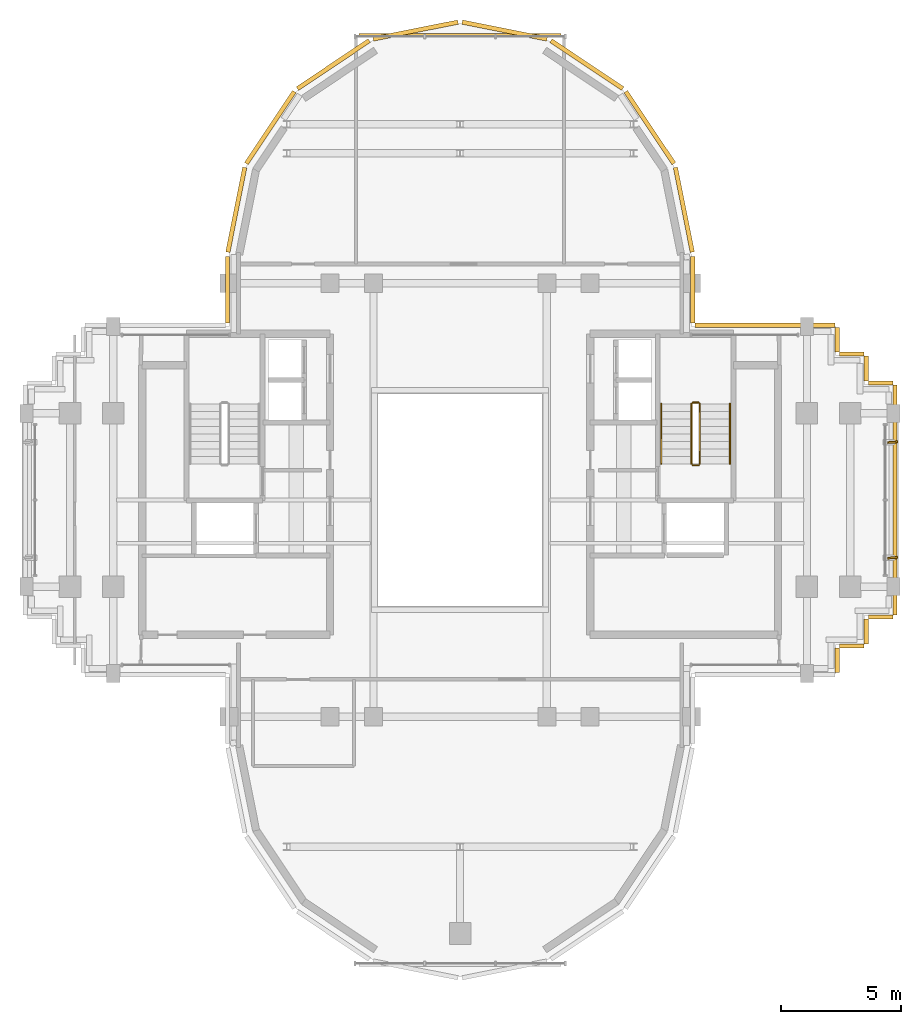
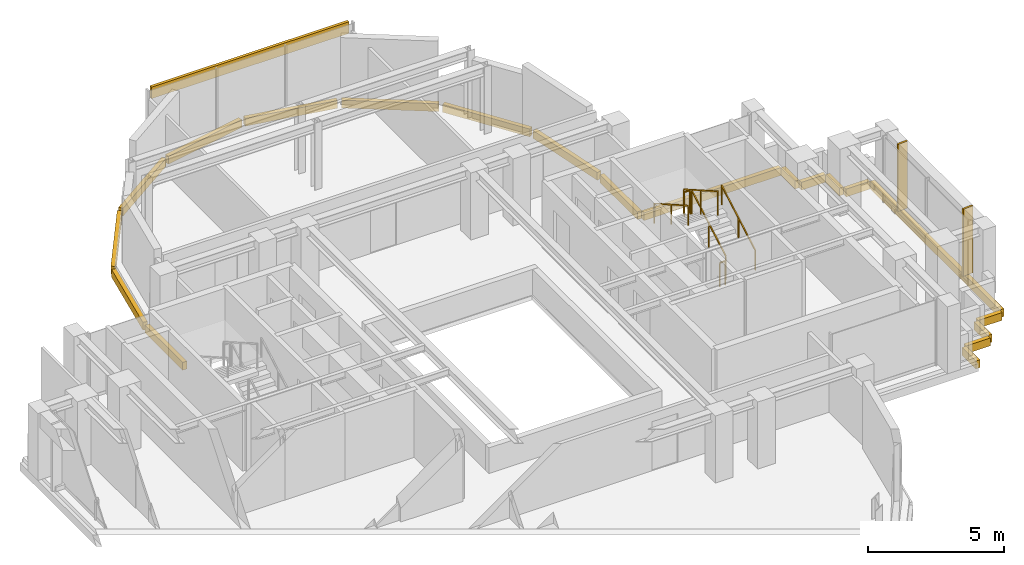
# One storey, part 12 of 12: 21 coverings, 6 railings, 2 shading devices.
"""IFC4 building model written with IfcOpenShell, lengths in metres."""

from ifc_helpers import new_model, si_unit, direction, frame, origin, origin_2d, place, context, subcontext, project, spatial, rectangle, extrude, source, transform, mapped, material, layer, layer_set, type_object, element, save


model = new_model("IFC4")

# Units and contexts
model_context = context("Model", 3, precision=1e-05, world=origin(), true_north=direction((0.0, 1.0)))
body_context = subcontext(model_context, "Body", "Model", "MODEL_VIEW")
ifc_project = project(units=[si_unit("LENGTHUNIT", "METRE"), si_unit("AREAUNIT", "SQUARE_METRE"), si_unit("VOLUMEUNIT", "CUBIC_METRE"), si_unit("PLANEANGLEUNIT", "RADIAN"), si_unit("MASSUNIT", "GRAM", prefix="KILO")], contexts=[model_context])

# Site, building, storey
site_placement = place(None, origin())
site = spatial("IfcSite", under=ifc_project, at=site_placement, CompositionType="ELEMENT")
building_placement = place(site_placement, origin())
building = spatial("IfcBuilding", under=site, at=building_placement, Name="Keilestroom Media Tower", CompositionType="ELEMENT")
storey_placement = place(building_placement, frame((0.0, 0.0, 246.0)))
storey = spatial("IfcBuildingStorey", under=building, at=storey_placement, Name="L68", CompositionType="ELEMENT", Elevation=246.0)

# Railings
ifc_material_1 = material(Name="Brushed Stainless Steel 1.4301", Category="steel")
railing_type_1 = type_object("IfcRailingType", Name="Stair-Pitch-Handrail-920", PredefinedType="HANDRAIL", material=ifc_material_1)
railing_1_placement = place(storey_placement, frame((11.2099609375, 1.5, 0.177734375)))
element("IfcRailing", 1, at=railing_1_placement, inside=storey, type_object=railing_type_1, Name="L68 ST-2 stair handrail 1", PredefinedType="HANDRAIL", context=body_context, shape_type="SweptSolid", body=[
    extrude(rectangle(XDim=0.048095703125, YDim=0.048095703125, at=origin_2d()), frame((0.0, 0.0, 0.8759765625), z_axis=(0.0, 0.868838684858, 0.495095283449), x_axis=(-1.0, 0.0, 0.0)), (0.0, 0.0, 1.0), 2.872802734375),
    extrude(rectangle(XDim=0.0419921875, YDim=0.0419921875, at=origin_2d()), origin(), (0.0, 0.0, 1.0), 0.84375),
    extrude(rectangle(XDim=0.0419921875, YDim=0.0419921875, at=origin_2d()), frame((0.0, 1.248046875, 0.711181640625)), (0.0, 0.0, 1.0), 0.84375),
    extrude(rectangle(XDim=0.0419921875, YDim=0.0419921875, at=origin_2d()), frame((0.0, 2.49609375, 1.42236328125)), (0.0, 0.0, 1.0), 0.84375),
])
railing_2_placement = place(storey_placement, frame((8.35009765625, 3.99609375, 1.77783203125)))
element("IfcRailing", 2, at=railing_2_placement, inside=storey, type_object=railing_type_1, Name="L68 ST-2 stair handrail 2", PredefinedType="HANDRAIL", context=body_context, shape_type="SweptSolid", body=[
    extrude(rectangle(XDim=0.048095703125, YDim=0.048095703125, at=origin_2d()), frame((0.0, 0.0, 0.8759765625), z_axis=(0.0, -0.868875238982, 0.495031129408), x_axis=(1.0, 0.0, 0.0)), (0.0, 0.0, 1.0), 2.872802734375),
    extrude(rectangle(XDim=0.0419921875, YDim=0.0419921875, at=origin_2d()), origin(), (0.0, 0.0, 1.0), 0.84375),
    extrude(rectangle(XDim=0.0419921875, YDim=0.0419921875, at=origin_2d()), frame((0.0, -1.248046875, 0.7109375)), (0.0, 0.0, 1.0), 0.84375),
    extrude(rectangle(XDim=0.0419921875, YDim=0.0419921875, at=origin_2d()), frame((0.0, -2.49609375, 1.422119140625)), (0.0, 0.0, 1.0), 0.84375),
])
ifc_material_2 = material(Name="Painted Steel Balustrade", Category="steel")
railing_type_2 = type_object("IfcRailingType", Name="Stair-Well-And-Landing-Guard-1100", PredefinedType="GUARDRAIL", material=ifc_material_2)
railing_3_placement = place(storey_placement, frame((9.949951171875, 1.5, 0.177734375)))
element("IfcRailing", 3, at=railing_3_placement, inside=storey, type_object=railing_type_2, Name="L68 ST-2 stair guard 1", PredefinedType="GUARDRAIL", context=body_context, shape_type="SweptSolid", body=[
    extrude(rectangle(XDim=0.048095703125, YDim=0.048095703125, at=origin_2d()), frame((0.0, 0.0, 1.076171875), z_axis=(0.0, 0.868838684858, 0.495095283449), x_axis=(-1.0, 0.0, 0.0)), (0.0, 0.0, 1.0), 2.872802734375),
    extrude(rectangle(XDim=0.0419921875, YDim=0.0419921875, at=origin_2d()), origin(), (0.0, 0.0, 1.0), 1.0439453125),
    extrude(rectangle(XDim=0.0419921875, YDim=0.0419921875, at=origin_2d()), frame((0.0, 1.248046875, 0.711181640625)), (0.0, 0.0, 1.0), 1.0439453125),
    extrude(rectangle(XDim=0.0419921875, YDim=0.0419921875, at=origin_2d()), frame((0.0, 2.49609375, 1.42236328125)), (0.0, 0.0, 1.0), 1.0439453125),
])
railing_4_placement = place(storey_placement, frame((9.89990234375, 4.0458984375, 1.60009765625)))
element("IfcRailing", 4, at=railing_4_placement, inside=storey, type_object=railing_type_2, Name="L68 ST-2 stair guard 2", PredefinedType="GUARDRAIL", context=body_context, shape_type="SweptSolid", body=[
    extrude(rectangle(XDim=0.048095703125, YDim=0.048095703125, at=origin_2d()), frame((0.0, 0.0, 1.076171875), z_axis=(-1.0, 0.0, 0.0), x_axis=(0.0, -1.0, 0.0)), (0.0, 0.0, 1.0), 0.239990234375),
    extrude(rectangle(XDim=0.0419921875, YDim=0.0419921875, at=origin_2d()), origin(), (0.0, 0.0, 1.0), 1.0439453125),
    extrude(rectangle(XDim=0.0419921875, YDim=0.0419921875, at=origin_2d()), frame((-0.239990234375, 0.0, 0.0)), (0.0, 0.0, 1.0), 1.0439453125),
])
railing_5_placement = place(storey_placement, frame((9.610107421875, 3.99609375, 1.77783203125)))
element("IfcRailing", 5, at=railing_5_placement, inside=storey, type_object=railing_type_2, Name="L68 ST-2 stair guard 3", PredefinedType="GUARDRAIL", context=body_context, shape_type="SweptSolid", body=[
    extrude(rectangle(XDim=0.048095703125, YDim=0.048095703125, at=origin_2d()), frame((0.0, 0.0, 1.076171875), z_axis=(0.0, -0.868875238982, 0.495031129408), x_axis=(1.0, 0.0, 0.0)), (0.0, 0.0, 1.0), 2.872802734375),
    extrude(rectangle(XDim=0.0419921875, YDim=0.0419921875, at=origin_2d()), origin(), (0.0, 0.0, 1.0), 1.0439453125),
    extrude(rectangle(XDim=0.0419921875, YDim=0.0419921875, at=origin_2d()), frame((0.0, -1.248046875, 0.7109375)), (0.0, 0.0, 1.0), 1.0439453125),
    extrude(rectangle(XDim=0.0419921875, YDim=0.0419921875, at=origin_2d()), frame((0.0, -2.49609375, 1.422119140625)), (0.0, 0.0, 1.0), 1.0439453125),
])
railing_6_placement = place(storey_placement, frame((9.89990234375, 1.449951171875, 0.0)))
element("IfcRailing", 6, at=railing_6_placement, inside=storey, type_object=railing_type_2, Name="L68 ST-2 stair guard 4", PredefinedType="GUARDRAIL", context=body_context, shape_type="SweptSolid", body=[
    extrude(rectangle(XDim=0.048095703125, YDim=0.048095703125, at=origin_2d()), frame((0.0, 0.0, 1.076171875), z_axis=(-1.0, 0.0, 0.0), x_axis=(0.0, -1.0, 0.0)), (0.0, 0.0, 1.0), 0.239990234375),
    extrude(rectangle(XDim=0.0419921875, YDim=0.0419921875, at=origin_2d()), origin(), (0.0, 0.0, 1.0), 1.0439453125),
    extrude(rectangle(XDim=0.0419921875, YDim=0.0419921875, at=origin_2d()), frame((-0.239990234375, 0.0, 0.0)), (0.0, 0.0, 1.0), 1.0439453125),
])

# Covering
ifc_material_3 = material(Name="Precast concrete C40/50", Category="concrete")
ifc_layer = layer(ifc_material_3, 0.1201171875)
ifc_layer_set = layer_set([ifc_layer], Name="Precast concrete C40/50")
covering_type = type_object("IfcCoveringType", Name="Exterior-Precast-Spandrel-Cladding-Panel-120", PredefinedType="CLADDING", material=ifc_layer_set)
shared_shape_1 = source(origin(), body_context, "Body", "SweptSolid", [
    extrude(rectangle(XDim=8.39990234375, YDim=0.1201171875, at=origin_2d()), origin(), (0.0, 0.0, 1.0), 0.52001953125),
])
covering_1_placement = place(storey_placement, frame((0.0, 19.320068359375, 2.5), z_axis=(0.0, 0.0, 1.0), x_axis=(1.0, 0.0, 0.0)))
element("IfcCovering", 7, at=covering_1_placement, inside=storey, type_object=covering_type, Name="L68 Precast Spandrel Cladding N", PredefinedType="CLADDING", context=body_context, shape_type="MappedRepresentation", body=[
    mapped(shared_shape_1, transform((0.0, 0.0, 0.0), x_axis=(1.0, 0.0, 0.0), y_axis=(0.0, 1.0, 0.0), z_axis=(0.0, 0.0, 1.0), scale=1.0)),
])

# Shading devices
ifc_material_4 = material(Name="Bronze Anodised Aluminium", Category="aluminium")
shading_device_type = type_object("IfcShadingDeviceType", Name="Facade-Vertical-Sunshade-Fin-SHD-1", PredefinedType="USERDEFINED", material=ifc_material_4)
shared_shape_2 = source(origin(), body_context, "Body", "SweptSolid", [
    extrude(rectangle(XDim=0.419921875, YDim=0.080078125, at=origin_2d()), origin(), (0.0, 0.0, 1.0), 3.010009765625),
])
for number, where, z_axis, x_axis, name in (
    (8, (17.969970703125, -2.39990234375, 0.0), (0.0, 0.0, 1.0), (0.997684278836, 0.068015290665, 0.0), "L68 Twisting Sunshade Fin SHD-1 107"),
    (9, (17.969970703125, 2.39990234375, 0.0), (0.0, 0.0, 1.0), (0.997684278836, 0.068015290665, 0.0), "L68 Twisting Sunshade Fin SHD-1 108"),
):
    element("IfcShadingDevice", number, at=place(storey_placement, frame(where, z_axis=z_axis, x_axis=x_axis)), inside=storey, type_object=shading_device_type, Name=name, ObjectType="SUNSHADE", PredefinedType="USERDEFINED", context=body_context, shape_type="MappedRepresentation", body=[
        mapped(shared_shape_2, transform((0.0, 0.0, 0.0), x_axis=(1.0, 0.0, 0.0), y_axis=(0.0, 1.0, 0.0), z_axis=(0.0, 0.0, 1.0), scale=1.0)),
    ])

# Coverings
shared_shape_3 = source(origin(), body_context, "Body", "SweptSolid", [
    extrude(rectangle(XDim=1.02001953125, YDim=0.179931640625, at=origin_2d()), origin(), (0.0, 0.0, 1.0), 0.35009765625),
])
for number, where, z_axis, x_axis, name in (
    (10, (17.4599609375, -4.860107421875, -0.530029296875), (0.0, 0.0, 1.0), (-1.0, 0.0, 0.0), "L68 Precast Slab-Edge Fascia Cornice 01"),
    (11, (16.860107421875, -5.4599609375, -0.530029296875), (0.0, 0.0, 1.0), (0.0, -1.0, 0.0), "L68 Precast Slab-Edge Fascia Cornice 02"),
    (12, (16.260009765625, -6.06005859375, -0.530029296875), (0.0, 0.0, 1.0), (-1.0, 0.0, 0.0), "L68 Precast Slab-Edge Fascia Cornice 03"),
    (13, (15.659912109375, -6.659912109375, -0.530029296875), (0.0, 0.0, 1.0), (0.0, -1.0, 0.0), "L68 Precast Slab-Edge Fascia Cornice 04"),
    (14, (15.659912109375, 6.659912109375, -0.530029296875), (0.0, 0.0, 1.0), (0.0, -1.0, 0.0), "L68 Precast Slab-Edge Fascia Cornice 38"),
    (15, (16.260009765625, 6.06005859375, -0.530029296875), (0.0, 0.0, 1.0), (1.0, 0.0, 0.0), "L68 Precast Slab-Edge Fascia Cornice 39"),
    (16, (16.860107421875, 5.4599609375, -0.530029296875), (0.0, 0.0, 1.0), (0.0, -1.0, 0.0), "L68 Precast Slab-Edge Fascia Cornice 40"),
    (17, (17.4599609375, 4.860107421875, -0.530029296875), (0.0, 0.0, 1.0), (1.0, 0.0, 0.0), "L68 Precast Slab-Edge Fascia Cornice 41"),
):
    element("IfcCovering", number, at=place(storey_placement, frame(where, z_axis=z_axis, x_axis=x_axis)), inside=storey, type_object=covering_type, Name=name, PredefinedType="CLADDING", context=body_context, shape_type="MappedRepresentation", body=[
        mapped(shared_shape_3, transform((0.0, 0.0, 0.0), x_axis=(1.0, 0.0, 0.0), y_axis=(0.0, 1.0, 0.0), z_axis=(0.0, 0.0, 1.0), scale=1.0)),
    ])
shared_shape_4 = source(origin(), body_context, "Body", "SweptSolid", [
    extrude(rectangle(XDim=5.820068359375, YDim=0.179931640625, at=origin_2d()), origin(), (0.0, 0.0, 1.0), 0.35009765625),
])
covering_2_placement = place(storey_placement, frame((12.659912109375, 7.260009765625, -0.530029296875), z_axis=(0.0, 0.0, 1.0), x_axis=(1.0, 0.0, 0.0)))
element("IfcCovering", 18, at=covering_2_placement, inside=storey, type_object=covering_type, Name="L68 Precast Slab-Edge Fascia Cornice 37", PredefinedType="CLADDING", context=body_context, shape_type="MappedRepresentation", body=[
    mapped(shared_shape_4, transform((0.0, 0.0, 0.0), x_axis=(1.0, 0.0, 0.0), y_axis=(0.0, 1.0, 0.0), z_axis=(0.0, 0.0, 1.0), scale=1.0)),
])
shared_shape_5 = source(origin(), body_context, "Body", "SweptSolid", [
    extrude(rectangle(XDim=2.765869140625, YDim=0.179931640625, at=origin_2d()), origin(), (0.0, 0.0, 1.0), 0.35009765625),
])
for number, where, z_axis, x_axis, name in (
    (19, (-9.659912109375, 8.73291015625, -0.530029296875), (0.0, 0.0, 1.0), (0.0, 1.0, 0.0), "L68 Precast Slab-Edge Fascia Cornice 27"),
    (20, (9.659912109375, 8.73291015625, -0.530029296875), (0.0, 0.0, 1.0), (0.0, -1.0, 0.0), "L68 Precast Slab-Edge Fascia Cornice 36"),
):
    element("IfcCovering", number, at=place(storey_placement, frame(where, z_axis=z_axis, x_axis=x_axis)), inside=storey, type_object=covering_type, Name=name, PredefinedType="CLADDING", context=body_context, shape_type="MappedRepresentation", body=[
        mapped(shared_shape_5, transform((0.0, 0.0, 0.0), x_axis=(1.0, 0.0, 0.0), y_axis=(0.0, 1.0, 0.0), z_axis=(0.0, 0.0, 1.0), scale=1.0)),
    ])
shared_shape_6 = source(origin(), body_context, "Body", "SweptSolid", [
    extrude(rectangle(XDim=3.58349609375, YDim=0.179931640625, at=origin_2d()), origin(), (0.0, 0.0, 1.0), 0.35009765625),
])
for number, where, z_axis, x_axis, name in (
    (21, (-9.29296875, 12.051513671875, -0.530029296875), (0.0, 0.0, 1.0), (0.195098880975, 0.980783577882, 0.0), "L68 Precast Slab-Edge Fascia Cornice 28"),
    (22, (9.29296875, 12.051513671875, -0.530029296875), (0.0, 0.0, 1.0), (0.195098880975, -0.980783577882, 0.0), "L68 Precast Slab-Edge Fascia Cornice 35"),
):
    element("IfcCovering", number, at=place(storey_placement, frame(where, z_axis=z_axis, x_axis=x_axis)), inside=storey, type_object=covering_type, Name=name, PredefinedType="CLADDING", context=body_context, shape_type="MappedRepresentation", body=[
        mapped(shared_shape_6, transform((0.0, 0.0, 0.0), x_axis=(1.0, 0.0, 0.0), y_axis=(0.0, 1.0, 0.0), z_axis=(0.0, 0.0, 1.0), scale=1.0)),
    ])
shared_shape_7 = source(origin(), body_context, "Body", "SweptSolid", [
    extrude(rectangle(XDim=3.589599609375, YDim=0.179931640625, at=origin_2d()), origin(), (0.0, 0.0, 1.0), 0.35009765625),
])
for number, where, z_axis, x_axis, name in (
    (23, (-7.878662109375, 15.46435546875, -0.530029296875), (0.0, 0.0, 1.0), (0.555574586577, 0.831466703332, 0.0), "L68 Precast Slab-Edge Fascia Cornice 29"),
    (24, (-5.264404296875, 18.07861328125, -0.530029296875), (0.0, 0.0, 1.0), (0.831466703332, 0.555574586577, 0.0), "L68 Precast Slab-Edge Fascia Cornice 30"),
    (25, (-1.8486328125, 19.493408203125, -0.530029296875), (0.0, 0.0, 1.0), (0.980783577882, 0.195098880975, 0.0), "L68 Precast Slab-Edge Fascia Cornice 31"),
    (26, (1.8486328125, 19.493408203125, -0.530029296875), (0.0, 0.0, 1.0), (0.980783577882, -0.195098880975, 0.0), "L68 Precast Slab-Edge Fascia Cornice 32"),
    (27, (5.264404296875, 18.07861328125, -0.530029296875), (0.0, 0.0, 1.0), (0.831466703332, -0.555574586577, 0.0), "L68 Precast Slab-Edge Fascia Cornice 33"),
    (28, (7.878662109375, 15.46435546875, -0.530029296875), (0.0, 0.0, 1.0), (0.555574586577, -0.831466703332, 0.0), "L68 Precast Slab-Edge Fascia Cornice 34"),
):
    element("IfcCovering", number, at=place(storey_placement, frame(where, z_axis=z_axis, x_axis=x_axis)), inside=storey, type_object=covering_type, Name=name, PredefinedType="CLADDING", context=body_context, shape_type="MappedRepresentation", body=[
        mapped(shared_shape_7, transform((0.0, 0.0, 0.0), x_axis=(1.0, 0.0, 0.0), y_axis=(0.0, 1.0, 0.0), z_axis=(0.0, 0.0, 1.0), scale=1.0)),
    ])
shared_shape_8 = source(origin(), body_context, "Body", "SweptSolid", [
    extrude(rectangle(XDim=9.5400390625, YDim=0.179931640625, at=origin_2d()), origin(), (0.0, 0.0, 1.0), 0.35009765625),
])
covering_3_placement = place(storey_placement, frame((18.06005859375, 0.0, -0.530029296875), z_axis=(0.0, 0.0, 1.0), x_axis=(0.0, -1.0, 0.0)))
element("IfcCovering", 29, at=covering_3_placement, inside=storey, type_object=covering_type, Name="L68 Precast Slab-Edge Fascia Cornice 42", PredefinedType="CLADDING", context=body_context, shape_type="MappedRepresentation", body=[
    mapped(shared_shape_8, transform((0.0, 0.0, 0.0), x_axis=(1.0, 0.0, 0.0), y_axis=(0.0, 1.0, 0.0), z_axis=(0.0, 0.0, 1.0), scale=1.0)),
])

save(model, "model.ifc")
